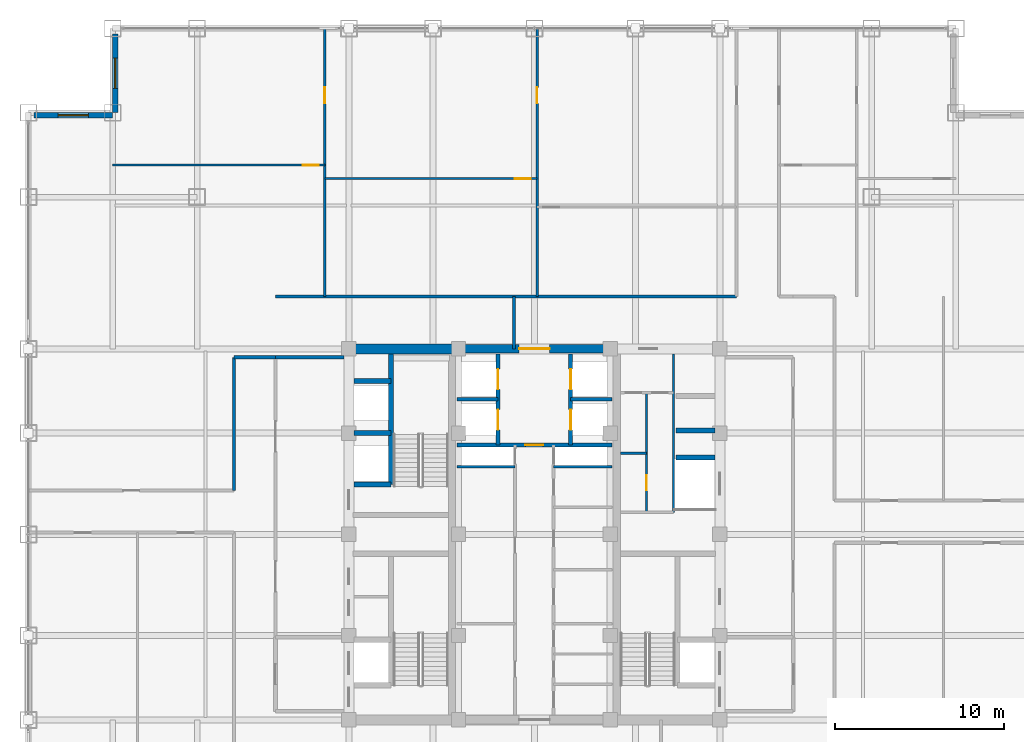
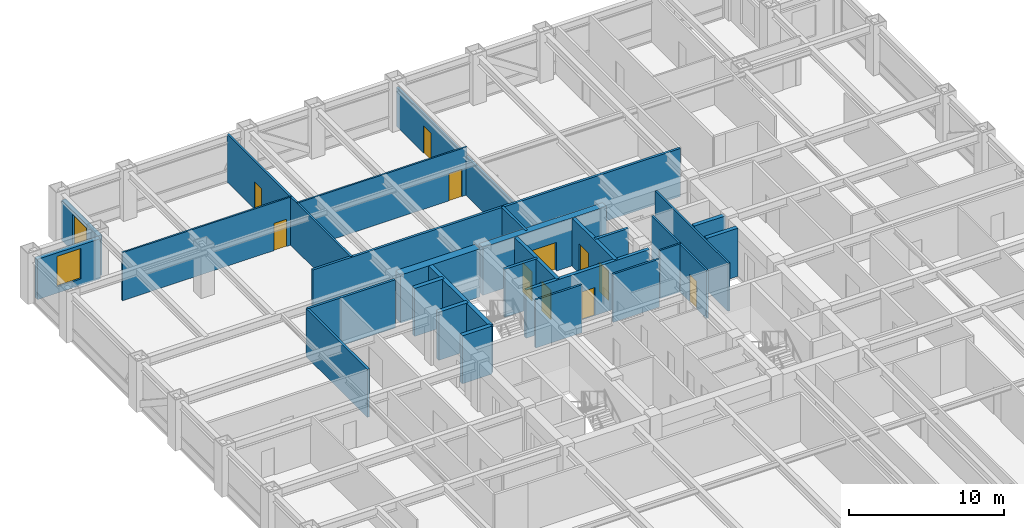
# One storey, part 22 of 25: 29 walls, 11 doors, 2 windows, 13 openings.
"""IFC4 building model written with IfcOpenShell, lengths in metres."""

from ifc_helpers import new_model, si_unit, direction, frame, frame_2d, origin, place, context, subcontext, project, spatial, rectangle, extrude, source, transform, mapped, material, layer, layer_set, type_object, element, fill, save


model = new_model("IFC4")

# Units and contexts
model_context = context("Model", 3, precision=1e-05, world=origin(), true_north=direction((0.0, 1.0)))
body_context = subcontext(model_context, "Body", "Model", "MODEL_VIEW")
ifc_project = project(units=[si_unit("LENGTHUNIT", "METRE"), si_unit("AREAUNIT", "SQUARE_METRE"), si_unit("VOLUMEUNIT", "CUBIC_METRE"), si_unit("PLANEANGLEUNIT", "RADIAN"), si_unit("MASSUNIT", "GRAM", prefix="KILO")], contexts=[model_context])

# Site, building, storey
site_placement = place(None, origin())
site = spatial("IfcSite", under=ifc_project, at=site_placement, CompositionType="ELEMENT")
building_placement = place(site_placement, origin())
building = spatial("IfcBuilding", under=site, at=building_placement, Name="Khorayat Bourse Tower", CompositionType="ELEMENT")
storey_placement = place(building_placement, frame((0.0, 0.0, 227.10009765625)))
storey = spatial("IfcBuildingStorey", under=building, at=storey_placement, Name="L53", CompositionType="ELEMENT", Elevation=227.10009765625)

# Wall, opening, door
ifc_material_1 = material(Name="Concrete C52/65", Category="concrete")
ifc_layer_1 = layer(ifc_material_1, 0.5)
ifc_layer_set_1 = layer_set([ifc_layer_1], Name="Concrete C52/65")
wall_type_1 = type_object("IfcWallType", Name="WAL-CORE-500", PredefinedType="SHEAR", material=ifc_layer_set_1)
shared_shape_1 = source(origin(), body_context, "Body", "SweptSolid", [
    extrude(rectangle(XDim=9.2001953125, YDim=0.5, at=frame_2d((4.60009765625, 0.0))), origin(), (0.0, 0.0, 1.0), 3.77978515625),
])
wall_1_placement = place(storey_placement, frame((-4.60009765625, 11.0, 0.0), z_axis=(0.0, 0.0, 1.0), x_axis=(1.0, 0.0, 0.0)))
wall_1 = element("IfcWall", 1, at=wall_1_placement, inside=storey, type_object=wall_type_1, Name="L53 Core Shear Wall CORE-N", PredefinedType="SHEAR", context=body_context, shape_type="MappedRepresentation", body=[
    mapped(shared_shape_1, transform((0.0, 0.0, 0.0), scale=1.0)),
])
shared_shape_2 = source(origin(), body_context, "Body", "SweptSolid", [
    extrude(rectangle(XDim=1.800048828125, YDim=2.25, at=frame_2d((0.89990234375, 1.125))), frame((0.0, 0.260009765625, 0.0), z_axis=(0.0, -1.0, 0.0), x_axis=(1.0, 0.0, 0.0)), (0.0, 0.0, 1.0), 0.52001953125),
])
opening_1_placement = place(wall_1_placement, frame((3.699951171875, 0.0, 0.0)))
opening_1 = element("IfcOpeningElement", 2, at=opening_1_placement, cuts=wall_1, Name="Opening DI-03", PredefinedType="OPENING", context=body_context, shape_type="MappedRepresentation", body=[
    mapped(shared_shape_2, transform((0.0, 0.0, 0.0), scale=1.0)),
])
ifc_material_2 = material(Name="Fire-rated hardwood vision-panel double leaf", Category="wood")
door_type_1 = type_object("IfcDoorType", Name="DR-INT-CORR-1800", OperationType="NOTDEFINED", PredefinedType="DOOR", material=ifc_material_2)
shared_shape_3 = source(origin(), body_context, "Body", "SweptSolid", [
    extrude(rectangle(XDim=1.800048828125, YDim=2.25, at=frame_2d((0.89990234375, 1.125))), frame((0.0, 0.02490234375, 0.0), z_axis=(0.0, -1.0, 0.0), x_axis=(1.0, 0.0, 0.0)), (0.0, 0.0, 1.0), 0.050048828125),
])
door_1_placement = place(opening_1_placement, origin())
door_1 = element("IfcDoor", 3, at=door_1_placement, inside=storey, type_object=door_type_1, Name="L53 Mid-Rise Lift Lobby Door", OperationType="SINGLE_SWING_RIGHT", OverallHeight=2.25, OverallWidth=1.800048828125, PredefinedType="DOOR", context=body_context, shape_type="MappedRepresentation", body=[
    mapped(shared_shape_3, transform((0.0, 0.0, 0.0), scale=1.0)),
])
fill(opening_1, door_1)

# Wall
ifc_material_3 = material(Name="Concrete C60/75", Category="concrete")
ifc_layer_2 = layer(ifc_material_3, 0.60009765625)
ifc_layer_set_2 = layer_set([ifc_layer_2], Name="Concrete C60/75")
wall_type_2 = type_object("IfcWallType", Name="WAL-CORE-600", PredefinedType="SHEAR", material=ifc_layer_set_2)
shared_shape_4 = source(origin(), body_context, "Body", "SweptSolid", [
    extrude(rectangle(XDim=5.89990234375, YDim=0.60009765625, at=frame_2d((2.949951171875, 0.0))), origin(), (0.0, 0.0, 1.0), 3.77978515625),
])
wall_2_placement = place(storey_placement, frame((-10.75, 11.0, 0.0), z_axis=(0.0, 0.0, 1.0), x_axis=(1.0, 0.0, 0.0)))
element("IfcWall", 4, at=wall_2_placement, inside=storey, type_object=wall_type_2, Name="L53 Core Shear Wall PIER-WN", PredefinedType="SHEAR", context=body_context, shape_type="MappedRepresentation", body=[
    mapped(shared_shape_4, transform((0.0, 0.0, 0.0), scale=1.0)),
])

# Wall, opening, window
ifc_material_4 = material(Name="Precast concrete C45/55", Category="concrete")
ifc_layer_3 = layer(ifc_material_4, 0.320068359375)
ifc_layer_set_3 = layer_set([ifc_layer_3], Name="Precast concrete C45/55")
wall_type_3 = type_object("IfcWallType", Name="WAL-EXT-STONE-320", PredefinedType="STANDARD", material=ifc_layer_set_3)
shared_shape_5 = source(origin(), body_context, "Body", "SweptSolid", [
    extrude(rectangle(XDim=4.679931640625, YDim=0.320068359375, at=frame_2d((2.33984375, 0.0))), origin(), (0.0, 0.0, 1.0), 3.163818359375),
])
wall_3_placement = place(storey_placement, frame((-24.840087890625, 25.0, 0.0), z_axis=(0.0, 0.0, 1.0), x_axis=(0.0, 1.0, 0.0)))
wall_3 = element("IfcWall", 5, at=wall_3_placement, inside=storey, type_object=wall_type_3, Name="L53 Re-Entrant Notch Limestone Wall NW-V", PredefinedType="STANDARD", context=body_context, shape_type="MappedRepresentation", body=[
    mapped(shared_shape_5, transform((0.0, 0.0, 0.0), scale=1.0)),
])
shared_shape_6 = source(origin(), body_context, "Body", "SweptSolid", [
    extrude(rectangle(XDim=1.800048828125, YDim=2.39990234375, at=frame_2d((0.89990234375, 1.199951171875))), frame((0.0, 0.169921875, 0.0), z_axis=(0.0, -1.0, 0.0), x_axis=(1.0, 0.0, 0.0)), (0.0, 0.0, 1.0), 0.340087890625),
])
opening_2_placement = place(wall_3_placement, frame((1.43994140625, 0.0, 0.5)))
opening_2 = element("IfcOpeningElement", 6, at=opening_2_placement, cuts=wall_3, Name="Opening WN-04", PredefinedType="OPENING", context=body_context, shape_type="MappedRepresentation", body=[
    mapped(shared_shape_6, transform((0.0, 0.0, 0.0), scale=1.0)),
])
ifc_material_5 = material(Name="Low-E acoustic laminated double glazing", Category="glass")
window_type = type_object("IfcWindowType", Name="WIN-NOTCH-1800x2400", PartitioningType="SINGLE_PANEL", PredefinedType="WINDOW", material=ifc_material_5)
shared_shape_7 = source(origin(), body_context, "Body", "SweptSolid", [
    extrude(rectangle(XDim=1.800048828125, YDim=2.39990234375, at=frame_2d((0.89990234375, 1.199951171875))), frame((0.0, 0.030029296875, 0.0), z_axis=(0.0, -1.0, 0.0), x_axis=(1.0, 0.0, 0.0)), (0.0, 0.0, 1.0), 0.06005859375),
])
window_1_placement = place(opening_2_placement, origin())
window_1 = element("IfcWindow", 7, at=window_1_placement, inside=storey, type_object=window_type, Name="L53 Facade Window 1", OverallHeight=2.39990234375, OverallWidth=1.800048828125, PartitioningType="SINGLE_PANEL", PredefinedType="WINDOW", context=body_context, shape_type="MappedRepresentation", body=[
    mapped(shared_shape_7, transform((0.0, 0.0, 0.0), scale=1.0)),
])
fill(opening_2, window_1)

wall_4_placement = place(storey_placement, frame((-25.0, 24.840087890625, 0.0), z_axis=(0.0, 0.0, 1.0), x_axis=(-1.0, 0.0, 0.0)))
wall_4 = element("IfcWall", 8, at=wall_4_placement, inside=storey, type_object=wall_type_3, Name="L53 Re-Entrant Notch Limestone Wall NW-H", PredefinedType="STANDARD", context=body_context, shape_type="MappedRepresentation", body=[
    mapped(shared_shape_5, transform((0.0, 0.0, 0.0), scale=1.0)),
])
opening_3_placement = place(wall_4_placement, frame((1.43994140625, 0.0, 0.5)))
opening_3 = element("IfcOpeningElement", 9, at=opening_3_placement, cuts=wall_4, Name="Opening WN-04", PredefinedType="OPENING", context=body_context, shape_type="MappedRepresentation", body=[
    mapped(shared_shape_6, transform((0.0, 0.0, 0.0), scale=1.0)),
])
window_2_placement = place(opening_3_placement, origin())
window_2 = element("IfcWindow", 10, at=window_2_placement, inside=storey, type_object=window_type, Name="L53 Facade Window 1", OverallHeight=2.39990234375, OverallWidth=1.800048828125, PartitioningType="SINGLE_PANEL", PredefinedType="WINDOW", context=body_context, shape_type="MappedRepresentation", body=[
    mapped(shared_shape_7, transform((0.0, 0.0, 0.0), scale=1.0)),
])
fill(opening_3, window_2)

# Walls
ifc_material_6 = material(Name="Concrete C50/60", Category="concrete")
ifc_layer_4 = layer(ifc_material_6, 0.300048828125)
ifc_layer_set_4 = layer_set([ifc_layer_4], Name="Concrete C50/60")
wall_type_4 = type_object("IfcWallType", Name="WAL-SHAFT-300", PredefinedType="SHEAR", material=ifc_layer_set_4)
shared_shape_8 = source(origin(), body_context, "Body", "SweptSolid", [
    extrude(rectangle(XDim=2.199951171875, YDim=0.300048828125, at=frame_2d((1.10009765625, 0.0))), origin(), (0.0, 0.0, 1.0), 3.77978515625),
])
for number, where, z_axis, x_axis, name in (
    (11, (-10.699951171875, 2.949951171875, 0.0), (0.0, 0.0, 1.0), (1.0, 0.0, 0.0), "L53 Partition WAL-L53-WPIER-H1S"),
    (12, (-10.699951171875, 6.0, 0.0), (0.0, 0.0, 1.0), (1.0, 0.0, 0.0), "L53 Partition WAL-L53-WPIER-H12"),
    (13, (-10.699951171875, 9.10009765625, 0.0), (0.0, 0.0, 1.0), (1.0, 0.0, 0.0), "L53 Partition WAL-L53-WPIER-H2N"),
):
    element("IfcWall", number, at=place(storey_placement, frame(where, z_axis=z_axis, x_axis=x_axis)), inside=storey, type_object=wall_type_4, Name=name, PredefinedType="SHEAR", context=body_context, shape_type="MappedRepresentation", body=[
        mapped(shared_shape_8, transform((0.0, 0.0, 0.0), scale=1.0)),
    ])
shared_shape_9 = source(origin(), body_context, "Body", "SweptSolid", [
    extrude(rectangle(XDim=7.75, YDim=0.300048828125, at=frame_2d((3.875, 0.0))), origin(), (0.0, 0.0, 1.0), 3.77978515625),
])
wall_5_placement = place(storey_placement, frame((-8.5, 2.949951171875, 0.0), z_axis=(0.0, 0.0, 1.0), x_axis=(0.0, 1.0, 0.0)))
element("IfcWall", 14, at=wall_5_placement, inside=storey, type_object=wall_type_4, Name="L53 Partition WAL-L53-WPIER-ST2S", PredefinedType="SHEAR", context=body_context, shape_type="MappedRepresentation", body=[
    mapped(shared_shape_9, transform((0.0, 0.0, 0.0), scale=1.0)),
])
shared_shape_10 = source(origin(), body_context, "Body", "SweptSolid", [
    extrude(rectangle(XDim=2.300048828125, YDim=0.300048828125, at=frame_2d((1.14990234375, 0.0))), origin(), (0.0, 0.0, 1.0), 3.77978515625),
])
for number, where, z_axis, x_axis, name in (
    (15, (8.39990234375, 4.550048828125, 0.0), (0.0, 0.0, 1.0), (1.0, 0.0, 0.0), "L53 Partition WAL-L53-EPIER-SVLN"),
    (16, (8.39990234375, 6.14990234375, 0.0), (0.0, 0.0, 1.0), (1.0, 0.0, 0.0), "L53 Partition WAL-L53-EPIER-H3S"),
):
    element("IfcWall", number, at=place(storey_placement, frame(where, z_axis=z_axis, x_axis=x_axis)), inside=storey, type_object=wall_type_4, Name=name, PredefinedType="SHEAR", context=body_context, shape_type="MappedRepresentation", body=[
        mapped(shared_shape_10, transform((0.0, 0.0, 0.0), scale=1.0)),
    ])
ifc_material_7 = material(Name="Moisture-resistant masonry partition", Category="masonry")
ifc_layer_5 = layer(ifc_material_7, 0.139892578125)
ifc_layer_set_5 = layer_set([ifc_layer_5], Name="Moisture-resistant masonry partition")
wall_type_5 = type_object("IfcWallType", Name="WAL-PART-WET-140", PredefinedType="PARTITIONING", material=ifc_layer_set_5)
shared_shape_11 = source(origin(), body_context, "Body", "SweptSolid", [
    extrude(rectangle(XDim=9.39990234375, YDim=0.139892578125, at=frame_2d((4.699951171875, 0.0))), origin(), (0.0, 0.0, 1.0), 3.77978515625),
])
wall_6_placement = place(storey_placement, frame((8.25, 1.300048828125, 0.0), z_axis=(0.0, 0.0, 1.0), x_axis=(0.0, 1.0, 0.0)))
element("IfcWall", 17, at=wall_6_placement, inside=storey, type_object=wall_type_5, Name="L53 Partition WAL-L53-ECORE-E", PredefinedType="PARTITIONING", context=body_context, shape_type="MappedRepresentation", body=[
    mapped(shared_shape_11, transform((0.0, 0.0, 0.0), scale=1.0)),
])
ifc_material_8 = material(Name="Gypsum plasterboard acoustic stud wall")
ifc_layer_6 = layer(ifc_material_8, 0.179931640625)
ifc_layer_set_6 = layer_set([ifc_layer_6], Name="Gypsum plasterboard acoustic stud wall")
wall_type_6 = type_object("IfcWallType", Name="WAL-PART-CORR-180", PredefinedType="PARTITIONING", material=ifc_layer_set_6)
shared_shape_12 = source(origin(), body_context, "Body", "SweptSolid", [
    extrude(rectangle(XDim=4.050048828125, YDim=0.179931640625, at=frame_2d((2.02490234375, 0.0))), origin(), (0.0, 0.0, 1.0), 3.77978515625),
])
wall_7_placement = place(storey_placement, frame((-15.35009765625, 10.5, 0.0), z_axis=(0.0, 0.0, 1.0), x_axis=(1.0, 0.0, 0.0)))
element("IfcWall", 18, at=wall_7_placement, inside=storey, type_object=wall_type_6, Name="L53 Partition WAL-L53-WLOB-N", PredefinedType="PARTITIONING", context=body_context, shape_type="MappedRepresentation", body=[
    mapped(shared_shape_12, transform((0.0, 0.0, 0.0), scale=1.0)),
])
ifc_material_9 = material(Name="Gypsum plasterboard twin-frame partition")
ifc_layer_7 = layer(ifc_material_9, 0.14990234375)
ifc_layer_set_7 = layer_set([ifc_layer_7], Name="Gypsum plasterboard twin-frame partition")
wall_type_7 = type_object("IfcWallType", Name="WAL-PART-SUITE-150", PredefinedType="PARTITIONING", material=ifc_layer_set_7)
shared_shape_13 = source(origin(), body_context, "Body", "SweptSolid", [
    extrude(rectangle(XDim=3.4501953125, YDim=0.14990234375, at=frame_2d((1.72509765625, 0.0))), origin(), (0.0, 0.0, 1.0), 3.77978515625),
])
for number, where, z_axis, x_axis, name in (
    (19, (-4.60009765625, 4.0, 0.0), (0.0, 0.0, 1.0), (1.0, 0.0, 0.0), "L53 Partition WAL-L53-CRSW-S"),
    (20, (1.14990234375, 4.0, 0.0), (0.0, 0.0, 1.0), (1.0, 0.0, 0.0), "L53 Partition WAL-L53-CRSE-S"),
):
    element("IfcWall", number, at=place(storey_placement, frame(where, z_axis=z_axis, x_axis=x_axis)), inside=storey, type_object=wall_type_7, Name=name, PredefinedType="PARTITIONING", context=body_context, shape_type="MappedRepresentation", body=[
        mapped(shared_shape_13, transform((0.0, 0.0, 0.0), scale=1.0)),
    ])

# Wall, openings, doors
shared_shape_14 = source(origin(), body_context, "Body", "SweptSolid", [
    extrude(rectangle(XDim=5.39990234375, YDim=0.25, at=frame_2d((2.699951171875, 0.0))), origin(), (0.0, 0.0, 1.0), 3.77978515625),
])
wall_8_placement = place(storey_placement, frame((-2.14990234375, 5.300048828125, 0.0), z_axis=(0.0, 0.0, 1.0), x_axis=(0.0, 1.0, 0.0)))
wall_8 = element("IfcWall", 21, at=wall_8_placement, inside=storey, type_object=wall_type_4, Name="L53 Partition WAL-L53-B2-W", PredefinedType="SHEAR", context=body_context, shape_type="MappedRepresentation", body=[
    mapped(shared_shape_14, transform((0.0, 0.0, 0.0), scale=1.0)),
])
shared_shape_15 = source(origin(), body_context, "Body", "SweptSolid", [
    extrude(rectangle(XDim=1.199951171875, YDim=2.300048828125, at=frame_2d((0.60009765625, 1.14990234375))), frame((0.0, 0.135009765625, 0.0), z_axis=(0.0, -1.0, 0.0), x_axis=(1.0, 0.0, 0.0)), (0.0, 0.0, 1.0), 0.27001953125),
])
opening_4_placement = place(wall_8_placement, frame((3.300048828125, 0.0, 0.0)))
opening_4 = element("IfcOpeningElement", 22, at=opening_4_placement, cuts=wall_8, Name="Opening LD-01", PredefinedType="OPENING", context=body_context, shape_type="MappedRepresentation", body=[
    mapped(shared_shape_15, transform((0.0, 0.0, 0.0), scale=1.0)),
])
opening_5_placement = place(wall_8_placement, frame((0.89990234375, 0.0, 0.0)))
opening_5 = element("IfcOpeningElement", 23, at=opening_5_placement, cuts=wall_8, Name="Opening LD-01", PredefinedType="OPENING", context=body_context, shape_type="MappedRepresentation", body=[
    mapped(shared_shape_15, transform((0.0, 0.0, 0.0), scale=1.0)),
])
ifc_material_10 = material(Name="Brushed bronze stainless-steel sliding door", Category="steel")
door_type_2 = type_object("IfcDoorType", Name="DR-LIFT-PASS-1200", OperationType="NOTDEFINED", PredefinedType="DOOR", material=ifc_material_10)
shared_shape_16 = source(origin(), body_context, "Body", "SweptSolid", [
    extrude(rectangle(XDim=1.199951171875, YDim=2.300048828125, at=frame_2d((0.60009765625, 1.14990234375))), frame((0.0, 0.02490234375, 0.0), z_axis=(0.0, -1.0, 0.0), x_axis=(1.0, 0.0, 0.0)), (0.0, 0.0, 1.0), 0.050048828125),
])
door_2_placement = place(opening_4_placement, origin())
door_2 = element("IfcDoor", 24, at=door_2_placement, inside=storey, type_object=door_type_2, Name="L53 Lift PL-M1 Sliding Landing Door", OperationType="SLIDING_TO_LEFT", OverallHeight=2.300048828125, OverallWidth=1.199951171875, PredefinedType="DOOR", context=body_context, shape_type="MappedRepresentation", body=[
    mapped(shared_shape_16, transform((0.0, 0.0, 0.0), scale=1.0)),
])
fill(opening_4, door_2)
door_3_placement = place(opening_5_placement, origin())
door_3 = element("IfcDoor", 25, at=door_3_placement, inside=storey, type_object=door_type_2, Name="L53 Lift PL-M3 Sliding Landing Door", OperationType="SLIDING_TO_LEFT", OverallHeight=2.300048828125, OverallWidth=1.199951171875, PredefinedType="DOOR", context=body_context, shape_type="MappedRepresentation", body=[
    mapped(shared_shape_16, transform((0.0, 0.0, 0.0), scale=1.0)),
])
fill(opening_5, door_3)

wall_9_placement = place(storey_placement, frame((2.14990234375, 5.300048828125, 0.0), z_axis=(0.0, 0.0, 1.0), x_axis=(0.0, 1.0, 0.0)))
wall_9 = element("IfcWall", 26, at=wall_9_placement, inside=storey, type_object=wall_type_4, Name="L53 Partition WAL-L53-B2-E", PredefinedType="SHEAR", context=body_context, shape_type="MappedRepresentation", body=[
    mapped(shared_shape_14, transform((0.0, 0.0, 0.0), scale=1.0)),
])
opening_6_placement = place(wall_9_placement, frame((3.300048828125, 0.0, 0.0)))
opening_6 = element("IfcOpeningElement", 27, at=opening_6_placement, cuts=wall_9, Name="Opening LD-01", PredefinedType="OPENING", context=body_context, shape_type="MappedRepresentation", body=[
    mapped(shared_shape_15, transform((0.0, 0.0, 0.0), scale=1.0)),
])
opening_7_placement = place(wall_9_placement, frame((0.89990234375, 0.0, 0.0)))
opening_7 = element("IfcOpeningElement", 28, at=opening_7_placement, cuts=wall_9, Name="Opening LD-01", PredefinedType="OPENING", context=body_context, shape_type="MappedRepresentation", body=[
    mapped(shared_shape_15, transform((0.0, 0.0, 0.0), scale=1.0)),
])
door_4_placement = place(opening_6_placement, origin())
door_4 = element("IfcDoor", 29, at=door_4_placement, inside=storey, type_object=door_type_2, Name="L53 Lift PL-M2 Sliding Landing Door", OperationType="SLIDING_TO_LEFT", OverallHeight=2.300048828125, OverallWidth=1.199951171875, PredefinedType="DOOR", context=body_context, shape_type="MappedRepresentation", body=[
    mapped(shared_shape_16, transform((0.0, 0.0, 0.0), scale=1.0)),
])
fill(opening_6, door_4)
door_5_placement = place(opening_7_placement, origin())
door_5 = element("IfcDoor", 30, at=door_5_placement, inside=storey, type_object=door_type_2, Name="L53 Lift PL-M4 Sliding Landing Door", OperationType="SLIDING_TO_LEFT", OverallHeight=2.300048828125, OverallWidth=1.199951171875, PredefinedType="DOOR", context=body_context, shape_type="MappedRepresentation", body=[
    mapped(shared_shape_16, transform((0.0, 0.0, 0.0), scale=1.0)),
])
fill(opening_7, door_5)

# Walls
shared_shape_17 = source(origin(), body_context, "Body", "SweptSolid", [
    extrude(rectangle(XDim=2.4501953125, YDim=0.199951171875, at=frame_2d((1.22509765625, 0.0))), origin(), (0.0, 0.0, 1.0), 3.77978515625),
])
for number, where, z_axis, x_axis, name in (
    (31, (-4.60009765625, 8.0, 0.0), (0.0, 0.0, 1.0), (1.0, 0.0, 0.0), "L53 Partition WAL-L53-B2-MW"),
    (32, (2.14990234375, 8.0, 0.0), (0.0, 0.0, 1.0), (1.0, 0.0, 0.0), "L53 Partition WAL-L53-B2-ME"),
):
    element("IfcWall", number, at=place(storey_placement, frame(where, z_axis=z_axis, x_axis=x_axis)), inside=storey, type_object=wall_type_4, Name=name, PredefinedType="SHEAR", context=body_context, shape_type="MappedRepresentation", body=[
        mapped(shared_shape_17, transform((0.0, 0.0, 0.0), scale=1.0)),
    ])

# Wall, opening, door
shared_shape_18 = source(origin(), body_context, "Body", "SweptSolid", [
    extrude(rectangle(XDim=9.2001953125, YDim=0.25, at=frame_2d((4.60009765625, 0.0))), origin(), (0.0, 0.0, 1.0), 3.77978515625),
])
wall_10_placement = place(storey_placement, frame((-4.60009765625, 5.300048828125, 0.0), z_axis=(0.0, 0.0, 1.0), x_axis=(1.0, 0.0, 0.0)))
wall_10 = element("IfcWall", 33, at=wall_10_placement, inside=storey, type_object=wall_type_4, Name="L53 Partition WAL-L53-B2-S", PredefinedType="SHEAR", context=body_context, shape_type="MappedRepresentation", body=[
    mapped(shared_shape_18, transform((0.0, 0.0, 0.0), scale=1.0)),
])
shared_shape_19 = source(origin(), body_context, "Body", "SweptSolid", [
    extrude(rectangle(XDim=1.050048828125, YDim=2.199951171875, at=frame_2d((0.52490234375, 1.10009765625))), frame((0.0, 0.135009765625, 0.0), z_axis=(0.0, -1.0, 0.0), x_axis=(1.0, 0.0, 0.0)), (0.0, 0.0, 1.0), 0.27001953125),
])
opening_8_placement = place(wall_10_placement, frame((4.074951171875, 0.0, 0.0)))
opening_8 = element("IfcOpeningElement", 34, at=opening_8_placement, cuts=wall_10, Name="Opening DI-04", PredefinedType="OPENING", context=body_context, shape_type="MappedRepresentation", body=[
    mapped(shared_shape_19, transform((0.0, 0.0, 0.0), scale=1.0)),
])
ifc_material_11 = material(Name="Fire-rated oak veneer suite entrance door")
door_type_3 = type_object("IfcDoorType", Name="DR-INT-SUITE-1050", OperationType="NOTDEFINED", PredefinedType="DOOR", material=ifc_material_11)
shared_shape_20 = source(origin(), body_context, "Body", "SweptSolid", [
    extrude(rectangle(XDim=1.050048828125, YDim=2.199951171875, at=frame_2d((0.52490234375, 1.10009765625))), frame((0.0, 0.02490234375, 0.0), z_axis=(0.0, -1.0, 0.0), x_axis=(1.0, 0.0, 0.0)), (0.0, 0.0, 1.0), 0.050048828125),
])
door_6_placement = place(opening_8_placement, origin())
door_6 = element("IfcDoor", 35, at=door_6_placement, inside=storey, type_object=door_type_3, Name="L53 Core Spine North Door", OperationType="SINGLE_SWING_RIGHT", OverallHeight=2.199951171875, OverallWidth=1.050048828125, PredefinedType="DOOR", context=body_context, shape_type="MappedRepresentation", body=[
    mapped(shared_shape_20, transform((0.0, 0.0, 0.0), scale=1.0)),
])
fill(opening_8, door_6)

# Walls
shared_shape_21 = source(origin(), body_context, "Body", "SweptSolid", [
    extrude(rectangle(XDim=2.449951171875, YDim=0.179931640625, at=frame_2d((1.22509765625, 0.0))), origin(), (0.0, 0.0, 1.0), 3.77978515625),
])
wall_11_placement = place(storey_placement, frame((-17.800048828125, 10.5, 0.0), z_axis=(0.0, 0.0, 1.0), x_axis=(1.0, 0.0, 0.0)))
element("IfcWall", 36, at=wall_11_placement, inside=storey, type_object=wall_type_6, Name="L53 Partition WAL-L53-C2-WN", PredefinedType="PARTITIONING", context=body_context, shape_type="MappedRepresentation", body=[
    mapped(shared_shape_21, transform((0.0, 0.0, 0.0), scale=1.0)),
])
shared_shape_22 = source(origin(), body_context, "Body", "SweptSolid", [
    extrude(rectangle(XDim=27.35009765625, YDim=0.179931640625, at=frame_2d((13.675048828125, 0.0))), origin(), (0.0, 0.0, 1.0), 3.77978515625),
])
wall_12_placement = place(storey_placement, frame((-15.35009765625, 14.10009765625, 0.0), z_axis=(0.0, 0.0, 1.0), x_axis=(1.0, 0.0, 0.0)))
element("IfcWall", 37, at=wall_12_placement, inside=storey, type_object=wall_type_6, Name="L53 Partition WAL-L53-QNW-HC", PredefinedType="PARTITIONING", context=body_context, shape_type="MappedRepresentation", body=[
    mapped(shared_shape_22, transform((0.0, 0.0, 0.0), scale=1.0)),
])
shared_shape_23 = source(origin(), body_context, "Body", "SweptSolid", [
    extrude(rectangle(XDim=3.10009765625, YDim=0.179931640625, at=frame_2d((1.550048828125, 0.0))), origin(), (0.0, 0.0, 1.0), 3.77978515625),
])
wall_13_placement = place(storey_placement, frame((-1.199951171875, 11.0, 0.0), z_axis=(0.0, 0.0, 1.0), x_axis=(0.0, 1.0, 0.0)))
element("IfcWall", 38, at=wall_13_placement, inside=storey, type_object=wall_type_6, Name="L53 Partition WAL-L53-C2-NCW", PredefinedType="PARTITIONING", context=body_context, shape_type="MappedRepresentation", body=[
    mapped(shared_shape_23, transform((0.0, 0.0, 0.0), scale=1.0)),
])

# Wall, opening, door
shared_shape_24 = source(origin(), body_context, "Body", "SweptSolid", [
    extrude(rectangle(XDim=15.89990234375, YDim=0.14990234375, at=frame_2d((7.949951171875, 0.0))), origin(), (0.0, 0.0, 1.0), 3.77978515625),
])
wall_14_placement = place(storey_placement, frame((-12.419921875, 14.10009765625, 0.0), z_axis=(0.0, 0.0, 1.0), x_axis=(0.0, 1.0, 0.0)))
wall_14 = element("IfcWall", 39, at=wall_14_placement, inside=storey, type_object=wall_type_7, Name="L53 Partition WAL-L53-QNWDV-1", PredefinedType="PARTITIONING", context=body_context, shape_type="MappedRepresentation", body=[
    mapped(shared_shape_24, transform((0.0, 0.0, 0.0), scale=1.0)),
])
shared_shape_25 = source(origin(), body_context, "Body", "SweptSolid", [
    extrude(rectangle(XDim=0.949951171875, YDim=2.14990234375, at=frame_2d((0.47509765625, 1.074951171875))), frame((0.0, 0.0849609375, 0.0), z_axis=(0.0, -1.0, 0.0), x_axis=(1.0, 0.0, 0.0)), (0.0, 0.0, 1.0), 0.169921875),
])
opening_9_placement = place(wall_14_placement, frame((11.449951171875, 0.0, 0.0)))
opening_9 = element("IfcOpeningElement", 40, at=opening_9_placement, cuts=wall_14, Name="Opening DI-05", PredefinedType="OPENING", context=body_context, shape_type="MappedRepresentation", body=[
    mapped(shared_shape_25, transform((0.0, 0.0, 0.0), scale=1.0)),
])
ifc_material_12 = material(Name="Acoustic oak veneer office door")
door_type_4 = type_object("IfcDoorType", Name="DR-INT-OFFICE-950", OperationType="NOTDEFINED", PredefinedType="DOOR", material=ifc_material_12)
shared_shape_26 = source(origin(), body_context, "Body", "SweptSolid", [
    extrude(rectangle(XDim=0.949951171875, YDim=2.14990234375, at=frame_2d((0.47509765625, 1.074951171875))), frame((0.0, 0.02490234375, 0.0), z_axis=(0.0, -1.0, 0.0), x_axis=(1.0, 0.0, 0.0)), (0.0, 0.0, 1.0), 0.050048828125),
])
door_7_placement = place(opening_9_placement, origin())
door_7 = element("IfcDoor", 41, at=door_7_placement, inside=storey, type_object=door_type_4, Name="L53 North-West Suite Link 1", OperationType="SINGLE_SWING_RIGHT", OverallHeight=2.14990234375, OverallWidth=0.949951171875, PredefinedType="DOOR", context=body_context, shape_type="MappedRepresentation", body=[
    mapped(shared_shape_26, transform((0.0, 0.0, 0.0), scale=1.0)),
])
fill(opening_9, door_7)

shared_shape_27 = source(origin(), body_context, "Body", "SweptSolid", [
    extrude(rectangle(XDim=7.099853515625, YDim=0.139892578125, at=frame_2d((3.5498046875, 0.0))), origin(), (0.0, 0.0, 1.0), 3.77978515625),
])
wall_15_placement = place(storey_placement, frame((6.64990234375, 1.300048828125, 0.0), z_axis=(0.0, 0.0, 1.0), x_axis=(0.0, 1.0, 0.0)))
wall_15 = element("IfcWall", 42, at=wall_15_placement, inside=storey, type_object=wall_type_5, Name="L53 Partition WAL-L53-ECW-MID", PredefinedType="PARTITIONING", context=body_context, shape_type="MappedRepresentation", body=[
    mapped(shared_shape_27, transform((0.0, 0.0, 0.0), scale=1.0)),
])
shared_shape_28 = source(origin(), body_context, "Body", "SweptSolid", [
    extrude(rectangle(XDim=0.89990234375, YDim=2.14990234375, at=frame_2d((0.449951171875, 1.074951171875))), frame((0.0, 0.079833984375, 0.0), z_axis=(0.0, -1.0, 0.0), x_axis=(1.0, 0.0, 0.0)), (0.0, 0.0, 1.0), 0.159912109375),
])
opening_10_placement = place(wall_15_placement, frame((1.300048828125, 0.0, 0.0)))
opening_10 = element("IfcOpeningElement", 43, at=opening_10_placement, cuts=wall_15, Name="Opening DI-06", PredefinedType="OPENING", context=body_context, shape_type="MappedRepresentation", body=[
    mapped(shared_shape_28, transform((0.0, 0.0, 0.0), scale=1.0)),
])
ifc_material_13 = material(Name="Moisture-resistant laminate washroom door")
door_type_5 = type_object("IfcDoorType", Name="DR-INT-WC-900", OperationType="NOTDEFINED", PredefinedType="DOOR", material=ifc_material_13)
shared_shape_29 = source(origin(), body_context, "Body", "SweptSolid", [
    extrude(rectangle(XDim=0.89990234375, YDim=2.14990234375, at=frame_2d((0.449951171875, 1.074951171875))), frame((0.0, 0.02490234375, 0.0), z_axis=(0.0, -1.0, 0.0), x_axis=(1.0, 0.0, 0.0)), (0.0, 0.0, 1.0), 0.050048828125),
])
door_8_placement = place(opening_10_placement, origin())
door_8 = element("IfcDoor", 44, at=door_8_placement, inside=storey, type_object=door_type_5, Name="L53 Janitor Store Door", OperationType="SINGLE_SWING_LEFT", OverallHeight=2.14990234375, OverallWidth=0.89990234375, PredefinedType="DOOR", context=body_context, shape_type="MappedRepresentation", body=[
    mapped(shared_shape_29, transform((0.0, 0.0, 0.0), scale=1.0)),
])
fill(opening_10, door_8)

# Wall
shared_shape_30 = source(origin(), body_context, "Body", "SweptSolid", [
    extrude(rectangle(XDim=1.5498046875, YDim=0.139892578125, at=frame_2d((0.77490234375, 0.0))), origin(), (0.0, 0.0, 1.0), 3.77978515625),
])
wall_16_placement = place(storey_placement, frame((5.10009765625, 4.800048828125, 0.0), z_axis=(0.0, 0.0, 1.0), x_axis=(1.0, 0.0, 0.0)))
element("IfcWall", 45, at=wall_16_placement, inside=storey, type_object=wall_type_5, Name="L53 Partition WAL-L53-ECW-BOT", PredefinedType="PARTITIONING", context=body_context, shape_type="MappedRepresentation", body=[
    mapped(shared_shape_30, transform((0.0, 0.0, 0.0), scale=1.0)),
])

# Wall, opening, door
ifc_material_14 = material(Name="Gypsum plasterboard partition")
ifc_layer_8 = layer(ifc_material_14, 0.125)
ifc_layer_set_8 = layer_set([ifc_layer_8], Name="Gypsum plasterboard partition")
wall_type_8 = type_object("IfcWallType", Name="WAL-PART-ROOM-125", PredefinedType="PARTITIONING", material=ifc_layer_set_8)
shared_shape_31 = source(origin(), body_context, "Body", "SweptSolid", [
    extrude(rectangle(XDim=12.580078125, YDim=0.125, at=frame_2d((6.2900390625, 0.0))), origin(), (0.0, 0.0, 1.0), 3.77978515625),
])
wall_17_placement = place(storey_placement, frame((-25.0, 21.89111328125, 0.0), z_axis=(0.0, 0.0, 1.0), x_axis=(1.0, 0.0, 0.0)))
wall_17 = element("IfcWall", 46, at=wall_17_placement, inside=storey, type_object=wall_type_8, Name="L53 Partition WAL-L53-QNWDP-1", PredefinedType="PARTITIONING", context=body_context, shape_type="MappedRepresentation", body=[
    mapped(shared_shape_31, transform((0.0, 0.0, 0.0), scale=1.0)),
])
shared_shape_32 = source(origin(), body_context, "Body", "SweptSolid", [
    extrude(rectangle(XDim=0.949951171875, YDim=2.14990234375, at=frame_2d((0.47509765625, 1.074951171875))), frame((0.0, 0.072509765625, 0.0), z_axis=(0.0, -1.0, 0.0), x_axis=(1.0, 0.0, 0.0)), (0.0, 0.0, 1.0), 0.14501953125),
])
opening_11_placement = place(wall_17_placement, frame((11.2548828125, 0.0, 0.0)))
opening_11 = element("IfcOpeningElement", 47, at=opening_11_placement, cuts=wall_17, Name="Opening DI-05", PredefinedType="OPENING", context=body_context, shape_type="MappedRepresentation", body=[
    mapped(shared_shape_32, transform((0.0, 0.0, 0.0), scale=1.0)),
])
door_9_placement = place(opening_11_placement, origin())
door_9 = element("IfcDoor", 48, at=door_9_placement, inside=storey, type_object=door_type_4, Name="L53 North-West Members Club Room 1B Door", OperationType="SINGLE_SWING_RIGHT", OverallHeight=2.14990234375, OverallWidth=0.949951171875, PredefinedType="DOOR", context=body_context, shape_type="MappedRepresentation", body=[
    mapped(shared_shape_26, transform((0.0, 0.0, 0.0), scale=1.0)),
])
fill(opening_11, door_9)

shared_shape_33 = source(origin(), body_context, "Body", "SweptSolid", [
    extrude(rectangle(XDim=12.579833984375, YDim=0.125, at=frame_2d((6.2900390625, 0.0))), origin(), (0.0, 0.0, 1.0), 3.77978515625),
])
wall_18_placement = place(storey_placement, frame((-12.419921875, 21.095947265625, 0.0), z_axis=(0.0, 0.0, 1.0), x_axis=(1.0, 0.0, 0.0)))
wall_18 = element("IfcWall", 49, at=wall_18_placement, inside=storey, type_object=wall_type_8, Name="L53 Partition WAL-L53-QNWDP-2", PredefinedType="PARTITIONING", context=body_context, shape_type="MappedRepresentation", body=[
    mapped(shared_shape_33, transform((0.0, 0.0, 0.0), scale=1.0)),
])
opening_12_placement = place(wall_18_placement, frame((11.2548828125, 0.0, 0.0)))
opening_12 = element("IfcOpeningElement", 50, at=opening_12_placement, cuts=wall_18, Name="Opening DI-05", PredefinedType="OPENING", context=body_context, shape_type="MappedRepresentation", body=[
    mapped(shared_shape_32, transform((0.0, 0.0, 0.0), scale=1.0)),
])
door_10_placement = place(opening_12_placement, origin())
door_10 = element("IfcDoor", 51, at=door_10_placement, inside=storey, type_object=door_type_4, Name="L53 North-West Staff Tea Pantry 2B Door", OperationType="SINGLE_SWING_LEFT", OverallHeight=2.14990234375, OverallWidth=0.949951171875, PredefinedType="DOOR", context=body_context, shape_type="MappedRepresentation", body=[
    mapped(shared_shape_26, transform((0.0, 0.0, 0.0), scale=1.0)),
])
fill(opening_12, door_10)

shared_shape_34 = source(origin(), body_context, "Body", "SweptSolid", [
    extrude(rectangle(XDim=15.89990234375, YDim=0.14990234375, at=frame_2d((7.949951171875, 0.0))), origin(), (0.0, 0.0, 1.0), 3.0849609375),
])
wall_19_placement = place(storey_placement, frame((0.159912109375, 14.10009765625, 0.0), z_axis=(0.0, 0.0, 1.0), x_axis=(0.0, 1.0, 0.0)))
wall_19 = element("IfcWall", 52, at=wall_19_placement, inside=storey, type_object=wall_type_7, Name="L53 Partition WAL-L53-QNWDV-2", PredefinedType="PARTITIONING", context=body_context, shape_type="MappedRepresentation", body=[
    mapped(shared_shape_34, transform((0.0, 0.0, 0.0), scale=1.0)),
])
opening_13_placement = place(wall_19_placement, frame((11.449951171875, 0.0, 0.0)))
opening_13 = element("IfcOpeningElement", 53, at=opening_13_placement, cuts=wall_19, Name="Opening DI-05", PredefinedType="OPENING", context=body_context, shape_type="MappedRepresentation", body=[
    mapped(shared_shape_25, transform((0.0, 0.0, 0.0), scale=1.0)),
])
door_11_placement = place(opening_13_placement, origin())
door_11 = element("IfcDoor", 54, at=door_11_placement, inside=storey, type_object=door_type_4, Name="L53 North-West Suite Link 2", OperationType="SINGLE_SWING_LEFT", OverallHeight=2.14990234375, OverallWidth=0.949951171875, PredefinedType="DOOR", context=body_context, shape_type="MappedRepresentation", body=[
    mapped(shared_shape_26, transform((0.0, 0.0, 0.0), scale=1.0)),
])
fill(opening_13, door_11)

# Wall
shared_shape_35 = source(origin(), body_context, "Body", "SweptSolid", [
    extrude(rectangle(XDim=7.89990234375, YDim=0.179931640625, at=frame_2d((3.949951171875, 0.0))), origin(), (0.0, 0.0, 1.0), 3.77978515625),
])
wall_20_placement = place(storey_placement, frame((-17.800048828125, 2.60009765625, 0.0), z_axis=(0.0, 0.0, 1.0), x_axis=(0.0, 1.0, 0.0)))
element("IfcWall", 55, at=wall_20_placement, inside=storey, type_object=wall_type_6, Name="L53 Partition WAL-L53-WN-IN", PredefinedType="PARTITIONING", context=body_context, shape_type="MappedRepresentation", body=[
    mapped(shared_shape_35, transform((0.0, 0.0, 0.0), scale=1.0)),
])

save(model, "model.ifc")
